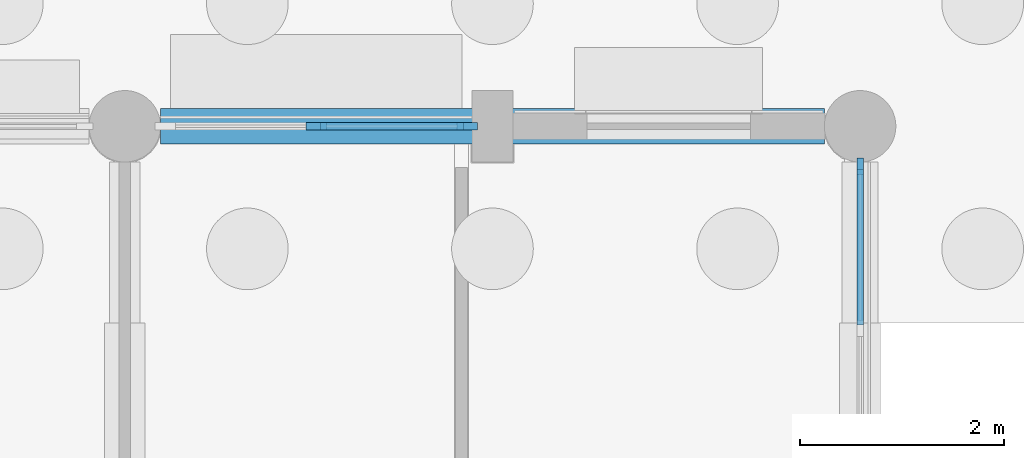
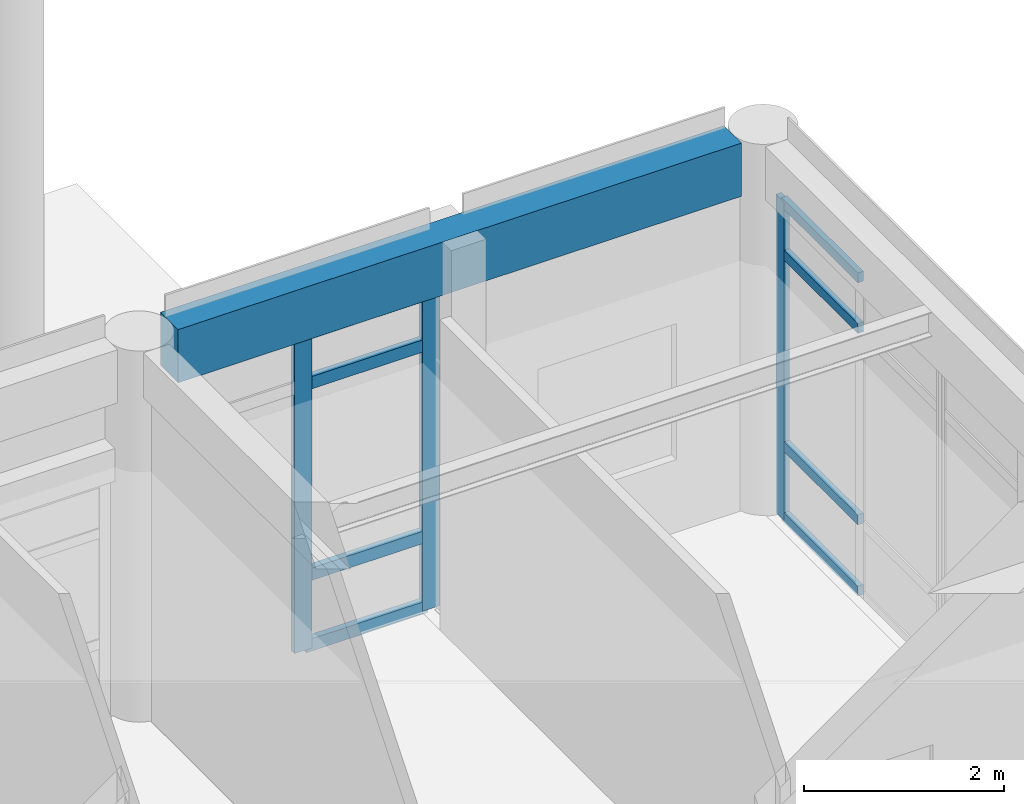
# One storey, part 35 of 103: 11 members, 1 beam, 2 elements without a shape of their own.
"""IFC4 building model written with IfcOpenShell, lengths in metres."""

import ifcopenshell
import ifcopenshell.guid

model = None  # the IFC model being written
_history = None  # IfcOwnerHistory: only IFC2X3 demands one
_inside = {}  # id of a spatial element -> (the spatial element, [elements in it])
_under = {}  # id of a project, library or spatial element -> (it, [spatial elements below it])
_declared = {}  # id of a project -> (the project, [libraries it declares])
_typed = {}  # id of a type object -> (the type object, [elements of that type])
_made_of = {}  # id of a material, layer set ... -> (it, [elements and type objects made of it])


def new_model(schema):
    """Start an empty IFC model of exactly this schema.

    Asked for "IFC4X3", IfcOpenShell would pick the latest addendum, in which some entities
    have other attributes; the version numbers below select the first issue.
    IFC2X3 requires an IfcOwnerHistory on every rooted entity: one is made here for all.
    """
    global model, _history
    if schema == "IFC4X3":
        model = ifcopenshell.file(schema_version=(4, 3, 0, 0))
    else:
        model = ifcopenshell.file(schema=schema)
    _inside.clear()
    _under.clear()
    _declared.clear()
    _typed.clear()
    _made_of.clear()
    _history = None
    if model.schema == "IFC2X3":
        org = make("IfcOrganization", Name="unknown")
        user = make(
            "IfcPersonAndOrganization",
            ThePerson=make("IfcPerson", FamilyName="unknown"),
            TheOrganization=org,
        )
        app = make(
            "IfcApplication",
            ApplicationDeveloper=org,
            Version="unknown",
            ApplicationFullName="unknown",
            ApplicationIdentifier="unknown",
        )
        _history = make(
            "IfcOwnerHistory",
            OwningUser=user,
            OwningApplication=app,
            ChangeAction="ADDED",
            CreationDate=0,
        )
    return model


def make(cls, **values):
    """One entity of the class cls with the attributes given. An attribute that is None is left unset."""
    return model.create_entity(
        cls, **{name: value for name, value in values.items() if value is not None}
    )


def rooted(cls, **values):
    """An entity with a GlobalId (a new one), such as an element, a storey or a relation."""
    return make(cls, GlobalId=ifcopenshell.guid.new(), OwnerHistory=_history, **values)


def si_unit(unit_type, name, prefix=None):
    """IfcSIUnit, for example si_unit("LENGTHUNIT", "METRE", prefix="MILLI")."""
    return make("IfcSIUnit", UnitType=unit_type, Prefix=prefix, Name=name)


def assignment(units):
    """IfcUnitAssignment: the units of a project."""
    return None if units is None else make("IfcUnitAssignment", Units=units)


def point(xyz):
    """IfcCartesianPoint."""
    return None if xyz is None else make("IfcCartesianPoint", Coordinates=xyz)


def direction(xyz):
    """IfcDirection."""
    return None if xyz is None else make("IfcDirection", DirectionRatios=xyz)


def frame(location, z_axis=None, x_axis=None):
    """IfcAxis2Placement3D, a coordinate frame: its origin and axes. An axis left out is left unset."""
    return make(
        "IfcAxis2Placement3D",
        Location=point(location),
        Axis=direction(z_axis),
        RefDirection=direction(x_axis),
    )


def frame_2d(location, x_axis=None):
    """IfcAxis2Placement2D, a coordinate frame in the plane: its origin and x axis."""
    return make(
        "IfcAxis2Placement2D", Location=point(location), RefDirection=direction(x_axis)
    )


def origin():
    """The frame at (0, 0, 0) with its axes left unset."""
    return frame((0.0, 0.0, 0.0))


def origin_2d():
    """The frame at (0, 0) in the plane with its x axis left unset."""
    return frame_2d((0.0, 0.0))


def place(relative_to, where):
    """IfcLocalPlacement: puts the frame where relative to a parent placement (None: the world)."""
    return make(
        "IfcLocalPlacement", PlacementRelTo=relative_to, RelativePlacement=where
    )


def context(
    kind, dimensions, precision=None, world=None, true_north=None, identifier=None
):
    """IfcGeometricRepresentationContext, for example the 3D "Model" context."""
    return make(
        "IfcGeometricRepresentationContext",
        ContextIdentifier=identifier,
        ContextType=kind,
        CoordinateSpaceDimension=dimensions,
        Precision=precision,
        WorldCoordinateSystem=world,
        TrueNorth=true_north,
    )


def subcontext(parent, identifier, kind, view, scale=None):
    """IfcGeometricRepresentationSubContext, for example "Body" below "Model"."""
    return make(
        "IfcGeometricRepresentationSubContext",
        ContextIdentifier=identifier,
        ContextType=kind,
        ParentContext=parent,
        TargetScale=scale,
        TargetView=view,
    )


def project(units=None, contexts=None):
    """IfcProject with its units and contexts."""
    return rooted(
        "IfcProject",
        Name="project",
        RepresentationContexts=contexts,
        UnitsInContext=assignment(units),
    )


def spatial(cls, under=None, at=None, **own):
    """A site, building, storey or space (cls), placed at a placement, below another one or the project."""
    s = rooted(cls, ObjectPlacement=at, **own)
    if under is not None:
        _under.setdefault(under.id(), (under, []))[1].append(s)
    return s


def profile(cls, at=None, kind="AREA", **sizes):
    """A parametric profile (cls). Its sizes go by their IFC names, for example OverallWidth=200.0."""
    return make(cls, ProfileType=kind, Position=at, **sizes)


def rectangle(**sizes):
    """IfcRectangleProfileDef."""
    return profile("IfcRectangleProfileDef", **sizes)


def extrude(swept, where, along, depth):
    """IfcExtrudedAreaSolid: the profile swept, set in the frame where, extruded along a direction by depth."""
    return make(
        "IfcExtrudedAreaSolid",
        SweptArea=swept,
        Position=where,
        ExtrudedDirection=direction(along),
        Depth=depth,
    )


def shape(context_of_items, identifier, shape_type, items):
    """IfcShapeRepresentation: the items that make up one representation, for example the "Body"."""
    return make(
        "IfcShapeRepresentation",
        ContextOfItems=context_of_items,
        RepresentationIdentifier=identifier,
        RepresentationType=shape_type,
        Items=items,
    )


def material(Name=None, Category=None):
    """IfcMaterial."""
    return make("IfcMaterial", Name=Name, Category=Category)


def layer(
    of_material, thickness, ventilated=None, Name=None, Category=None, Priority=None
):
    """IfcMaterialLayer: one layer of a wall or slab, of a material (None: an air gap)."""
    return make(
        "IfcMaterialLayer",
        Material=of_material,
        LayerThickness=thickness,
        IsVentilated=ventilated,
        Name=Name,
        Category=Category,
        Priority=Priority,
    )


def layer_set(layers, Name=None):
    """IfcMaterialLayerSet."""
    return make("IfcMaterialLayerSet", MaterialLayers=layers, LayerSetName=Name)


def material_profile(
    of_material, cross_section, Name=None, Category=None, Priority=None
):
    """IfcMaterialProfile: a cross section and its material."""
    return make(
        "IfcMaterialProfile",
        Name=Name,
        Material=of_material,
        Profile=cross_section,
        Priority=Priority,
        Category=Category,
    )


def profile_set(profiles, Name=None, composite=None):
    """IfcMaterialProfileSet."""
    return make(
        "IfcMaterialProfileSet",
        Name=Name,
        MaterialProfiles=profiles,
        CompositeProfile=composite,
    )


def made_of(thing, what):
    """Note that an element or type object is made of a material, layer set ...; save() writes the relation."""
    if what is not None:
        _made_of.setdefault(what.id(), (what, []))[1].append(thing)
    return thing


def type_object(cls, material=None, **own):
    """A type object (cls), such as IfcWallType, which elements share."""
    return made_of(rooted(cls, **own), material)


def element(
    cls,
    number,
    at=None,
    inside=None,
    cuts=None,
    type_object=None,
    material=None,
    context=None,
    identifier="Body",
    shape_type=None,
    held_by="IfcProductDefinitionShape",
    body=None,
    shapes=None,
    **own,
):
    """One element of the class cls, such as IfcWall. Its Tag is "e" and its number.

    at: its placement. inside: the storey or other place that contains it. cuts: it is an
    opening in that element (IfcRelVoidsElement). A single representation is given by context,
    identifier, shape_type and body (its items); several are given by shapes. held_by: the class
    of the entity that holds the representations. save() writes the other relations.
    """
    e = rooted(cls, Tag="e%d" % number, ObjectPlacement=at, **own)
    if body is not None:
        shapes = [shape(context, identifier, shape_type, body)]
    if shapes is not None:
        e.Representation = make(held_by, Representations=shapes)
    if inside is not None:
        _inside.setdefault(inside.id(), (inside, []))[1].append(e)
    if cuts is not None:
        rooted(
            "IfcRelVoidsElement", RelatingBuildingElement=cuts, RelatedOpeningElement=e
        )
    if type_object is not None:
        _typed.setdefault(type_object.id(), (type_object, []))[1].append(e)
    return made_of(e, material)


def aggregate(whole, parts):
    """IfcRelAggregates: a whole, such as a stair, and the parts it consists of."""
    return rooted("IfcRelAggregates", RelatingObject=whole, RelatedObjects=parts)


def save(model, path):
    """Write the relations noted so far, then the file.

    IfcRelAggregates (storeys below a building ...), IfcRelContainedInSpatialStructure (elements
    in a storey), IfcRelDefinesByType, IfcRelAssociatesMaterial and IfcRelDeclares: one each for
    every whole, place, type object, material and project.
    """
    for whole, parts in _under.values():
        aggregate(whole, parts)
    for where, things in _inside.values():
        rooted(
            "IfcRelContainedInSpatialStructure",
            RelatedElements=things,
            RelatingStructure=where,
        )
    for kind, things in _typed.values():
        rooted("IfcRelDefinesByType", RelatedObjects=things, RelatingType=kind)
    for what, things in _made_of.values():
        rooted("IfcRelAssociatesMaterial", RelatedObjects=things, RelatingMaterial=what)
    for by, libraries in _declared.values():
        rooted("IfcRelDeclares", RelatingContext=by, RelatedDefinitions=libraries)
    model.write(path)


model = new_model("IFC4")

# Units and contexts
model_context = context("Model", 3, precision=1e-05, world=origin(), true_north=direction((0.0, 1.0)))
body_context = subcontext(model_context, "Body", "Model", "MODEL_VIEW")
ifc_project = project(units=[si_unit("LENGTHUNIT", "METRE"), si_unit("AREAUNIT", "SQUARE_METRE"), si_unit("VOLUMEUNIT", "CUBIC_METRE"), si_unit("PLANEANGLEUNIT", "RADIAN"), si_unit("MASSUNIT", "GRAM", prefix="KILO")], contexts=[model_context])

# Site, building, storey
site_placement = place(None, origin())
site = spatial("IfcSite", under=ifc_project, at=site_placement, CompositionType="ELEMENT")
building_placement = place(site_placement, origin())
building = spatial("IfcBuilding", under=site, at=building_placement, Name="Namkhue Oval Health Centre", CompositionType="ELEMENT")
storey_placement = place(building_placement, origin())
storey = spatial("IfcBuildingStorey", under=building, at=storey_placement, Name="L00", CompositionType="ELEMENT", Elevation=0.0)

# Curtain wall, member
ifc_material_1 = material(Name="Anodised aluminium EN AW-6063 T6", Category="aluminium")
ifc_layer_1 = layer(ifc_material_1, 0.159912109375)
ifc_layer_set_1 = layer_set([ifc_layer_1], Name="Anodised aluminium EN AW-6063 T6")
curtain_wall_type_1 = type_object("IfcCurtainWallType", Name="UNITISED CURTAIN WALL M1500", PredefinedType="NOTDEFINED", material=ifc_layer_set_1)
curtain_wall_1_placement = place(storey_placement, origin())
curtain_wall_1 = element("IfcCurtainWall", 1, at=curtain_wall_1_placement, inside=storey, type_object=curtain_wall_type_1, Name="Volume V3 L00 Unitised Curtain Wall 93", PredefinedType="NOTDEFINED")
ifc_material_profile_1 = material_profile(ifc_material_1, rectangle(XDim=0.06494140625, YDim=0.159912109375, at=origin_2d()), Name="ALU 65x160")
ifc_profile_set_1 = profile_set([ifc_material_profile_1], Name="Anodised aluminium EN AW-6063 T6")
member_type_1 = type_object("IfcMemberType", Name="CURTAIN WALL MULLION 65X160", PredefinedType="MULLION", material=ifc_profile_set_1)
member_1_placement = place(storey_placement, frame((122.39990234375, 104.007568359375, 0.0), z_axis=(0.0, 0.0, 1.0), x_axis=(-1.0, 0.0, 0.0)))
member_1 = element("IfcMember", 2, at=member_1_placement, type_object=member_type_1, Name="CW-03 mullion 5", PredefinedType="MULLION", context=body_context, shape_type="SweptSolid", body=[
    extrude(rectangle(XDim=0.06494140625, YDim=0.159912109375, at=origin_2d()), origin(), (0.0, 0.0, 1.0), 3.885009765625),
])

# Curtain wall, members
ifc_layer_2 = layer(ifc_material_1, 0.159912109375)
ifc_layer_set_2 = layer_set([ifc_layer_2], Name="Anodised aluminium EN AW-6063 T6")
curtain_wall_type_2 = type_object("IfcCurtainWallType", Name="UNITISED CURTAIN WALL M1600", PredefinedType="NOTDEFINED", material=ifc_layer_set_2)
curtain_wall_2_placement = place(storey_placement, origin())
curtain_wall_2 = element("IfcCurtainWall", 3, at=curtain_wall_2_placement, inside=storey, type_object=curtain_wall_type_2, Name="Volume V3 L00 Unitised Curtain Wall 94", PredefinedType="NOTDEFINED")
ifc_material_profile_2 = material_profile(ifc_material_1, rectangle(XDim=0.074951171875, YDim=0.199951171875, at=origin_2d()), Name="ALU 75x200")
ifc_profile_set_2 = profile_set([ifc_material_profile_2], Name="Anodised aluminium EN AW-6063 T6")
member_type_2 = type_object("IfcMemberType", Name="CURTAIN WALL MULLION 75X200", PredefinedType="MULLION", material=ifc_profile_set_2)
member_2_placement = place(storey_placement, frame((118.551513671875, 104.39990234375, 0.0), z_axis=(0.0, 0.0, 1.0), x_axis=(0.0, -1.0, 0.0)))
member_2 = element("IfcMember", 4, at=member_2_placement, type_object=member_type_2, Name="CW-04 mullion 1", PredefinedType="MULLION", context=body_context, shape_type="SweptSolid", body=[
    extrude(rectangle(XDim=0.074951171875, YDim=0.199951171875, at=origin_2d()), origin(), (0.0, 0.0, 1.0), 3.885009765625),
])
member_3_placement = place(storey_placement, frame((117.074462890625, 104.39990234375, 0.0), z_axis=(0.0, 0.0, 1.0), x_axis=(0.0, -1.0, 0.0)))
member_3 = element("IfcMember", 5, at=member_3_placement, type_object=member_type_2, Name="CW-04 mullion 2", PredefinedType="MULLION", context=body_context, shape_type="SweptSolid", body=[
    extrude(rectangle(XDim=0.074951171875, YDim=0.199951171875, at=origin_2d()), origin(), (0.0, 0.0, 1.0), 3.885009765625),
])

# Member
ifc_material_profile_3 = material_profile(ifc_material_1, rectangle(XDim=0.06494140625, YDim=0.1201171875, at=origin_2d()), Name="ALU 65x120")
ifc_profile_set_3 = profile_set([ifc_material_profile_3], Name="Anodised aluminium EN AW-6063 T6")
member_type_3 = type_object("IfcMemberType", Name="CURTAIN WALL TRANSOM 65X120", PredefinedType="USERDEFINED", material=ifc_profile_set_3)
member_4_placement = place(storey_placement, frame((122.39990234375, 102.452392578125, 0.032470703125), z_axis=(0.0, 1.0, 0.0), x_axis=(-1.0, 0.0, 0.0)))
member_4 = element("IfcMember", 6, at=member_4_placement, type_object=member_type_3, Name="CW-03 transom 4.1", ObjectType="TRANSOM", PredefinedType="USERDEFINED", context=body_context, shape_type="SweptSolid", body=[
    extrude(rectangle(XDim=0.06494140625, YDim=0.1201171875, at=origin_2d()), origin(), (0.0, 0.0, 1.0), 1.522705078125),
])

member_5_placement = place(storey_placement, frame((122.39990234375, 102.452392578125, 0.89990234375), z_axis=(0.0, 1.0, 0.0), x_axis=(-1.0, 0.0, 0.0)))
member_5 = element("IfcMember", 7, at=member_5_placement, type_object=member_type_3, Name="CW-03 transom 4.2", ObjectType="TRANSOM", PredefinedType="USERDEFINED", context=body_context, shape_type="SweptSolid", body=[
    extrude(rectangle(XDim=0.06494140625, YDim=0.1201171875, at=origin_2d()), origin(), (0.0, 0.0, 1.0), 1.522705078125),
])

member_6_placement = place(storey_placement, frame((122.39990234375, 102.452392578125, 3.235107421875), z_axis=(0.0, 1.0, 0.0), x_axis=(-1.0, 0.0, 0.0)))
member_6 = element("IfcMember", 8, at=member_6_placement, type_object=member_type_3, Name="CW-03 transom 4.3", ObjectType="TRANSOM", PredefinedType="USERDEFINED", context=body_context, shape_type="SweptSolid", body=[
    extrude(rectangle(XDim=0.06494140625, YDim=0.1201171875, at=origin_2d()), origin(), (0.0, 0.0, 1.0), 1.522705078125),
])

member_7_placement = place(storey_placement, frame((122.39990234375, 102.452392578125, 3.8525390625), z_axis=(0.0, 1.0, 0.0), x_axis=(-1.0, 0.0, 0.0)))
member_7 = element("IfcMember", 9, at=member_7_placement, type_object=member_type_3, Name="CW-03 transom 4.4", ObjectType="TRANSOM", PredefinedType="USERDEFINED", context=body_context, shape_type="SweptSolid", body=[
    extrude(rectangle(XDim=0.06494140625, YDim=0.1201171875, at=origin_2d()), origin(), (0.0, 0.0, 1.0), 1.522705078125),
])

aggregate(curtain_wall_1, [member_1, member_4, member_5, member_6, member_7])

ifc_material_profile_4 = material_profile(ifc_material_1, rectangle(XDim=0.074951171875, YDim=0.14990234375, at=origin_2d()), Name="ALU 75x150")
ifc_profile_set_4 = profile_set([ifc_material_profile_4], Name="Anodised aluminium EN AW-6063 T6")
member_type_4 = type_object("IfcMemberType", Name="CURTAIN WALL TRANSOM 75X150", PredefinedType="USERDEFINED", material=ifc_profile_set_4)
member_8_placement = place(storey_placement, frame((118.513916015625, 104.39990234375, 0.03759765625), z_axis=(-1.0, 0.0, 0.0), x_axis=(0.0, -1.0, 0.0)))
member_8 = element("IfcMember", 10, at=member_8_placement, type_object=member_type_4, Name="CW-04 transom 1.1", ObjectType="TRANSOM", PredefinedType="USERDEFINED", context=body_context, shape_type="SweptSolid", body=[
    extrude(rectangle(XDim=0.074951171875, YDim=0.14990234375, at=origin_2d()), origin(), (0.0, 0.0, 1.0), 1.40185546875),
])

member_9_placement = place(storey_placement, frame((118.513916015625, 104.39990234375, 0.89990234375), z_axis=(-1.0, 0.0, 0.0), x_axis=(0.0, -1.0, 0.0)))
member_9 = element("IfcMember", 11, at=member_9_placement, type_object=member_type_4, Name="CW-04 transom 1.2", ObjectType="TRANSOM", PredefinedType="USERDEFINED", context=body_context, shape_type="SweptSolid", body=[
    extrude(rectangle(XDim=0.074951171875, YDim=0.14990234375, at=origin_2d()), origin(), (0.0, 0.0, 1.0), 1.40185546875),
])

member_10_placement = place(storey_placement, frame((118.513916015625, 104.39990234375, 3.235107421875), z_axis=(-1.0, 0.0, 0.0), x_axis=(0.0, -1.0, 0.0)))
member_10 = element("IfcMember", 12, at=member_10_placement, type_object=member_type_4, Name="CW-04 transom 1.3", ObjectType="TRANSOM", PredefinedType="USERDEFINED", context=body_context, shape_type="SweptSolid", body=[
    extrude(rectangle(XDim=0.074951171875, YDim=0.14990234375, at=origin_2d()), origin(), (0.0, 0.0, 1.0), 1.40185546875),
])

member_11_placement = place(storey_placement, frame((118.513916015625, 104.39990234375, 3.847412109375), z_axis=(-1.0, 0.0, 0.0), x_axis=(0.0, -1.0, 0.0)))
member_11 = element("IfcMember", 13, at=member_11_placement, type_object=member_type_4, Name="CW-04 transom 1.4", ObjectType="TRANSOM", PredefinedType="USERDEFINED", context=body_context, shape_type="SweptSolid", body=[
    extrude(rectangle(XDim=0.074951171875, YDim=0.14990234375, at=origin_2d()), origin(), (0.0, 0.0, 1.0), 1.40185546875),
])

aggregate(curtain_wall_2, [member_2, member_3, member_8, member_9, member_10, member_11])

# Beam
ifc_material_2 = material(Name="Reinforced concrete C35/45 (TCVN B40)", Category="concrete")
ifc_material_profile_5 = material_profile(ifc_material_2, rectangle(XDim=0.35009765625, YDim=0.64990234375, at=origin_2d()), Name="RC 350x650")
ifc_profile_set_5 = profile_set([ifc_material_profile_5], Name="Reinforced concrete C35/45 (TCVN B40)")
beam_type = type_object("IfcBeamType", Name="PERIMETER SPANDREL BEAM 350X650", PredefinedType="SPANDREL", material=ifc_profile_set_5)
beam_placement = place(storey_placement, frame((115.550048828125, 104.39990234375, 4.2099609375), z_axis=(1.0, 0.0, 0.0), x_axis=(0.0, 1.0, 0.0)))
element("IfcBeam", 14, at=beam_placement, inside=storey, type_object=beam_type, Name="Volume V3 L01 Girder P/17-18", PredefinedType="SPANDREL", context=body_context, shape_type="SweptSolid", body=[
    extrude(rectangle(XDim=0.35009765625, YDim=0.64990234375, at=origin_2d()), origin(), (0.0, 0.0, 1.0), 6.5),
])

save(model, "model.ifc")
